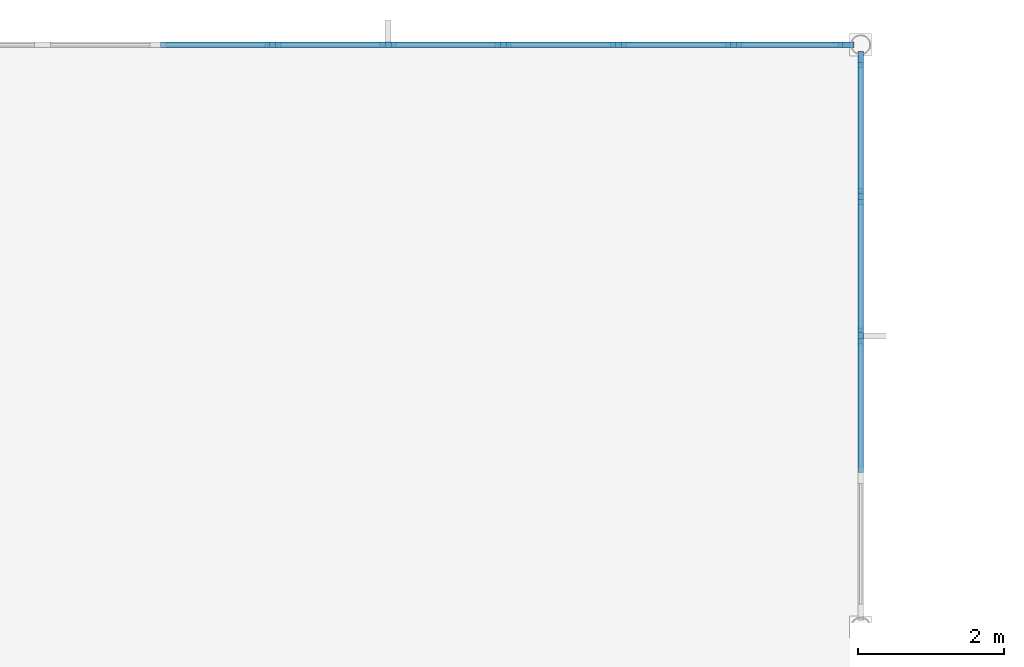
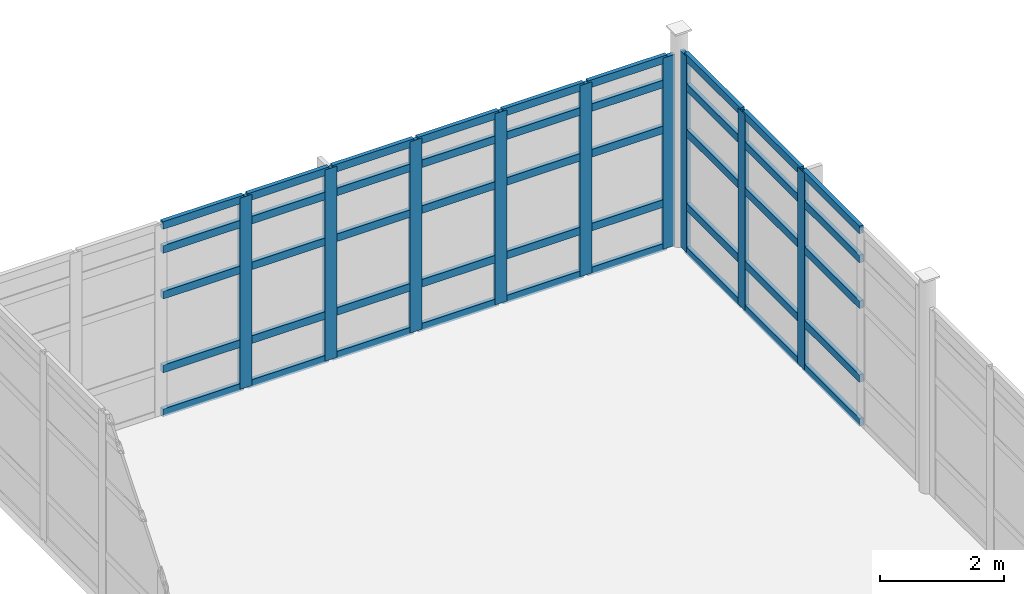
# One storey, part 71 of 122: 54 members, 2 elements without a shape of their own.
"""IFC4 building model written with IfcOpenShell, lengths in metres."""

from ifc_helpers import new_model, si_unit, direction, frame, origin, origin_2d, place, context, subcontext, project, spatial, rectangle, extrude, material, layer, layer_set, material_profile, profile_set, type_object, element, aggregate, save


model = new_model("IFC4")

# Units and contexts
model_context = context("Model", 3, precision=1e-05, world=origin(), true_north=direction((0.0, 1.0)))
body_context = subcontext(model_context, "Body", "Model", "MODEL_VIEW")
ifc_project = project(units=[si_unit("LENGTHUNIT", "METRE"), si_unit("AREAUNIT", "SQUARE_METRE"), si_unit("VOLUMEUNIT", "CUBIC_METRE"), si_unit("PLANEANGLEUNIT", "RADIAN"), si_unit("MASSUNIT", "GRAM", prefix="KILO"), si_unit("THERMODYNAMICTEMPERATUREUNIT", "KELVIN"), si_unit("POWERUNIT", "WATT")], contexts=[model_context])

# Site, building, storey
site_placement = place(None, origin())
site = spatial("IfcSite", under=ifc_project, at=site_placement, CompositionType="ELEMENT")
building_placement = place(site_placement, origin())
building = spatial("IfcBuilding", under=site, at=building_placement, Name="Korenveer Ferry Terminal", CompositionType="ELEMENT")
storey_placement = place(building_placement, frame((0.0, 0.0, 10.199951171875)))
storey = spatial("IfcBuildingStorey", under=building, at=storey_placement, Name="L02", CompositionType="ELEMENT", Elevation=10.199951171875)

# Curtain wall, members
ifc_material_1 = material(Name="Unitised bronze-and-glass curtain wall", Category="glass")
ifc_layer_1 = layer(ifc_material_1, 0.219970703125)
ifc_layer_set_1 = layer_set([ifc_layer_1], Name="Unitised bronze-and-glass curtain wall")
curtain_wall_type_1 = type_object("IfcCurtainWallType", Name="ENV-CW-103", PredefinedType="USERDEFINED", material=ifc_layer_set_1)
curtain_wall_1_placement = place(storey_placement, frame((123.179931640625, 116.0, 0.0)))
curtain_wall_1 = element("IfcCurtainWall", 1, at=curtain_wall_1_placement, inside=storey, type_object=curtain_wall_type_1, Name="Lancet curtain wall CWX-L02-X123-136-Y116-116", ObjectType="UNITISED CURTAIN WALL", PredefinedType="USERDEFINED")
ifc_material_2 = material(Name="Anodised bronze aluminium", Category="aluminium")
ifc_material_profile_1 = material_profile(ifc_material_2, rectangle(XDim=0.074951171875, YDim=0.219970703125, at=origin_2d()), Name="ALU 75x220")
ifc_profile_set_1 = profile_set([ifc_material_profile_1], Name="Anodised bronze aluminium")
member_type_1 = type_object("IfcMemberType", Name="ENV-CWM-75X220", PredefinedType="MULLION", material=ifc_profile_set_1)
member_1_placement = place(storey_placement, frame((127.925048828125, 116.0, 0.0), z_axis=(0.0, 0.0, 1.0), x_axis=(0.0, 1.0, 0.0)))
member_1 = element("IfcMember", 2, at=member_1_placement, type_object=member_type_1, Name="CW-103 mullion 4", PredefinedType="MULLION", context=body_context, shape_type="SweptSolid", body=[
    extrude(rectangle(XDim=0.074951171875, YDim=0.219970703125, at=origin_2d()), origin(), (0.0, 0.0, 1.0), 3.760009765625),
])
member_2_placement = place(storey_placement, frame((129.5068359375, 116.0, 0.0), z_axis=(0.0, 0.0, 1.0), x_axis=(0.0, 1.0, 0.0)))
member_2 = element("IfcMember", 3, at=member_2_placement, type_object=member_type_1, Name="CW-103 mullion 5", PredefinedType="MULLION", context=body_context, shape_type="SweptSolid", body=[
    extrude(rectangle(XDim=0.074951171875, YDim=0.219970703125, at=origin_2d()), origin(), (0.0, 0.0, 1.0), 3.760009765625),
])
member_3_placement = place(storey_placement, frame((131.08837890625, 116.0, 0.0), z_axis=(0.0, 0.0, 1.0), x_axis=(0.0, 1.0, 0.0)))
member_3 = element("IfcMember", 4, at=member_3_placement, type_object=member_type_1, Name="CW-103 mullion 6", PredefinedType="MULLION", context=body_context, shape_type="SweptSolid", body=[
    extrude(rectangle(XDim=0.074951171875, YDim=0.219970703125, at=origin_2d()), origin(), (0.0, 0.0, 1.0), 3.760009765625),
])
member_4_placement = place(storey_placement, frame((132.670166015625, 116.0, 0.0), z_axis=(0.0, 0.0, 1.0), x_axis=(0.0, 1.0, 0.0)))
member_4 = element("IfcMember", 5, at=member_4_placement, type_object=member_type_1, Name="CW-103 mullion 7", PredefinedType="MULLION", context=body_context, shape_type="SweptSolid", body=[
    extrude(rectangle(XDim=0.074951171875, YDim=0.219970703125, at=origin_2d()), origin(), (0.0, 0.0, 1.0), 3.760009765625),
])
member_5_placement = place(storey_placement, frame((134.251708984375, 116.0, 0.0), z_axis=(0.0, 0.0, 1.0), x_axis=(0.0, 1.0, 0.0)))
member_5 = element("IfcMember", 6, at=member_5_placement, type_object=member_type_1, Name="CW-103 mullion 8", PredefinedType="MULLION", context=body_context, shape_type="SweptSolid", body=[
    extrude(rectangle(XDim=0.074951171875, YDim=0.219970703125, at=origin_2d()), origin(), (0.0, 0.0, 1.0), 3.760009765625),
])
member_6_placement = place(storey_placement, frame((135.7958984375, 116.0, 0.0), z_axis=(0.0, 0.0, 1.0), x_axis=(0.0, 1.0, 0.0)))
member_6 = element("IfcMember", 7, at=member_6_placement, type_object=member_type_1, Name="CW-103 mullion 9", PredefinedType="MULLION", context=body_context, shape_type="SweptSolid", body=[
    extrude(rectangle(XDim=0.074951171875, YDim=0.219970703125, at=origin_2d()), origin(), (0.0, 0.0, 1.0), 3.760009765625),
])

ifc_layer_2 = layer(ifc_material_1, 0.219970703125)
ifc_layer_set_2 = layer_set([ifc_layer_2], Name="Unitised bronze-and-glass curtain wall")
curtain_wall_type_2 = type_object("IfcCurtainWallType", Name="ENV-CW-113", PredefinedType="USERDEFINED", material=ifc_layer_set_2)
curtain_wall_2_placement = place(storey_placement, frame((136.0, 115.83349609375, 0.0)))
curtain_wall_2 = element("IfcCurtainWall", 8, at=curtain_wall_2_placement, inside=storey, type_object=curtain_wall_type_2, Name="Lancet curtain wall CWX-L02-X136-136-Y108-116", ObjectType="UNITISED CURTAIN WALL", PredefinedType="USERDEFINED")
member_7_placement = place(storey_placement, frame((136.0, 115.7958984375, 0.0), z_axis=(0.0, 0.0, 1.0), x_axis=(1.0, 0.0, 0.0)))
member_7 = element("IfcMember", 9, at=member_7_placement, type_object=member_type_1, Name="CW-113 mullion 1", PredefinedType="MULLION", context=body_context, shape_type="SweptSolid", body=[
    extrude(rectangle(XDim=0.074951171875, YDim=0.219970703125, at=origin_2d()), origin(), (0.0, 0.0, 1.0), 3.860107421875),
])
member_8_placement = place(storey_placement, frame((136.0, 113.916748046875, 0.0), z_axis=(0.0, 0.0, 1.0), x_axis=(1.0, 0.0, 0.0)))
member_8 = element("IfcMember", 10, at=member_8_placement, type_object=member_type_1, Name="CW-113 mullion 2", PredefinedType="MULLION", context=body_context, shape_type="SweptSolid", body=[
    extrude(rectangle(XDim=0.074951171875, YDim=0.219970703125, at=origin_2d()), origin(), (0.0, 0.0, 1.0), 3.860107421875),
])
member_9_placement = place(storey_placement, frame((136.0, 112.0, 0.0), z_axis=(0.0, 0.0, 1.0), x_axis=(1.0, 0.0, 0.0)))
member_9 = element("IfcMember", 11, at=member_9_placement, type_object=member_type_1, Name="CW-113 mullion 3", PredefinedType="MULLION", context=body_context, shape_type="SweptSolid", body=[
    extrude(rectangle(XDim=0.074951171875, YDim=0.219970703125, at=origin_2d()), origin(), (0.0, 0.0, 1.0), 3.860107421875),
])

# Member
ifc_material_profile_2 = material_profile(ifc_material_2, rectangle(XDim=0.074951171875, YDim=0.14990234375, at=origin_2d()), Name="ALU 75x150")
ifc_profile_set_2 = profile_set([ifc_material_profile_2], Name="Anodised bronze aluminium")
member_type_2 = type_object("IfcMemberType", Name="ENV-CWT-75X150", PredefinedType="USERDEFINED", material=ifc_profile_set_2)
member_10_placement = place(storey_placement, frame((126.380859375, 116.0, 0.03759765625), z_axis=(1.0, 0.0, 0.0), x_axis=(0.0, 1.0, 0.0)))
member_10 = element("IfcMember", 12, at=member_10_placement, type_object=member_type_2, Name="CW-103 transom 3.1", ObjectType="TRANSOM", PredefinedType="USERDEFINED", context=body_context, shape_type="SweptSolid", body=[
    extrude(rectangle(XDim=0.074951171875, YDim=0.14990234375, at=origin_2d()), origin(), (0.0, 0.0, 1.0), 1.506591796875),
])

member_11_placement = place(storey_placement, frame((126.380859375, 116.0, 0.900146484375), z_axis=(1.0, 0.0, 0.0), x_axis=(0.0, 1.0, 0.0)))
member_11 = element("IfcMember", 13, at=member_11_placement, type_object=member_type_2, Name="CW-103 transom 3.2", ObjectType="TRANSOM", PredefinedType="USERDEFINED", context=body_context, shape_type="SweptSolid", body=[
    extrude(rectangle(XDim=0.074951171875, YDim=0.14990234375, at=origin_2d()), origin(), (0.0, 0.0, 1.0), 1.506591796875),
])

member_12_placement = place(storey_placement, frame((126.380859375, 116.0, 2.35009765625), z_axis=(1.0, 0.0, 0.0), x_axis=(0.0, 1.0, 0.0)))
member_12 = element("IfcMember", 14, at=member_12_placement, type_object=member_type_2, Name="CW-103 transom 3.3", ObjectType="TRANSOM", PredefinedType="USERDEFINED", context=body_context, shape_type="SweptSolid", body=[
    extrude(rectangle(XDim=0.074951171875, YDim=0.14990234375, at=origin_2d()), origin(), (0.0, 0.0, 1.0), 1.506591796875),
])

member_13_placement = place(storey_placement, frame((126.380859375, 116.0, 3.25), z_axis=(1.0, 0.0, 0.0), x_axis=(0.0, 1.0, 0.0)))
member_13 = element("IfcMember", 15, at=member_13_placement, type_object=member_type_2, Name="CW-103 transom 3.4", ObjectType="TRANSOM", PredefinedType="USERDEFINED", context=body_context, shape_type="SweptSolid", body=[
    extrude(rectangle(XDim=0.074951171875, YDim=0.14990234375, at=origin_2d()), origin(), (0.0, 0.0, 1.0), 1.506591796875),
])

member_14_placement = place(storey_placement, frame((126.380859375, 116.0, 3.72265625), z_axis=(1.0, 0.0, 0.0), x_axis=(0.0, 1.0, 0.0)))
member_14 = element("IfcMember", 16, at=member_14_placement, type_object=member_type_2, Name="CW-103 transom 3.5", ObjectType="TRANSOM", PredefinedType="USERDEFINED", context=body_context, shape_type="SweptSolid", body=[
    extrude(rectangle(XDim=0.074951171875, YDim=0.14990234375, at=origin_2d()), origin(), (0.0, 0.0, 1.0), 1.506591796875),
])

member_15_placement = place(storey_placement, frame((127.962646484375, 116.0, 0.03759765625), z_axis=(1.0, 0.0, 0.0), x_axis=(0.0, 1.0, 0.0)))
member_15 = element("IfcMember", 17, at=member_15_placement, type_object=member_type_2, Name="CW-103 transom 4.1", ObjectType="TRANSOM", PredefinedType="USERDEFINED", context=body_context, shape_type="SweptSolid", body=[
    extrude(rectangle(XDim=0.074951171875, YDim=0.14990234375, at=origin_2d()), origin(), (0.0, 0.0, 1.0), 1.506591796875),
])

member_16_placement = place(storey_placement, frame((127.962646484375, 116.0, 0.900146484375), z_axis=(1.0, 0.0, 0.0), x_axis=(0.0, 1.0, 0.0)))
member_16 = element("IfcMember", 18, at=member_16_placement, type_object=member_type_2, Name="CW-103 transom 4.2", ObjectType="TRANSOM", PredefinedType="USERDEFINED", context=body_context, shape_type="SweptSolid", body=[
    extrude(rectangle(XDim=0.074951171875, YDim=0.14990234375, at=origin_2d()), origin(), (0.0, 0.0, 1.0), 1.506591796875),
])

member_17_placement = place(storey_placement, frame((127.962646484375, 116.0, 2.35009765625), z_axis=(1.0, 0.0, 0.0), x_axis=(0.0, 1.0, 0.0)))
member_17 = element("IfcMember", 19, at=member_17_placement, type_object=member_type_2, Name="CW-103 transom 4.3", ObjectType="TRANSOM", PredefinedType="USERDEFINED", context=body_context, shape_type="SweptSolid", body=[
    extrude(rectangle(XDim=0.074951171875, YDim=0.14990234375, at=origin_2d()), origin(), (0.0, 0.0, 1.0), 1.506591796875),
])

member_18_placement = place(storey_placement, frame((127.962646484375, 116.0, 3.25), z_axis=(1.0, 0.0, 0.0), x_axis=(0.0, 1.0, 0.0)))
member_18 = element("IfcMember", 20, at=member_18_placement, type_object=member_type_2, Name="CW-103 transom 4.4", ObjectType="TRANSOM", PredefinedType="USERDEFINED", context=body_context, shape_type="SweptSolid", body=[
    extrude(rectangle(XDim=0.074951171875, YDim=0.14990234375, at=origin_2d()), origin(), (0.0, 0.0, 1.0), 1.506591796875),
])

member_19_placement = place(storey_placement, frame((127.962646484375, 116.0, 3.72265625), z_axis=(1.0, 0.0, 0.0), x_axis=(0.0, 1.0, 0.0)))
member_19 = element("IfcMember", 21, at=member_19_placement, type_object=member_type_2, Name="CW-103 transom 4.5", ObjectType="TRANSOM", PredefinedType="USERDEFINED", context=body_context, shape_type="SweptSolid", body=[
    extrude(rectangle(XDim=0.074951171875, YDim=0.14990234375, at=origin_2d()), origin(), (0.0, 0.0, 1.0), 1.506591796875),
])

member_20_placement = place(storey_placement, frame((129.544189453125, 116.0, 0.03759765625), z_axis=(1.0, 0.0, 0.0), x_axis=(0.0, 1.0, 0.0)))
member_20 = element("IfcMember", 22, at=member_20_placement, type_object=member_type_2, Name="CW-103 transom 5.1", ObjectType="TRANSOM", PredefinedType="USERDEFINED", context=body_context, shape_type="SweptSolid", body=[
    extrude(rectangle(XDim=0.074951171875, YDim=0.14990234375, at=origin_2d()), origin(), (0.0, 0.0, 1.0), 1.5068359375),
])

member_21_placement = place(storey_placement, frame((129.544189453125, 116.0, 0.900146484375), z_axis=(1.0, 0.0, 0.0), x_axis=(0.0, 1.0, 0.0)))
member_21 = element("IfcMember", 23, at=member_21_placement, type_object=member_type_2, Name="CW-103 transom 5.2", ObjectType="TRANSOM", PredefinedType="USERDEFINED", context=body_context, shape_type="SweptSolid", body=[
    extrude(rectangle(XDim=0.074951171875, YDim=0.14990234375, at=origin_2d()), origin(), (0.0, 0.0, 1.0), 1.5068359375),
])

member_22_placement = place(storey_placement, frame((129.544189453125, 116.0, 2.35009765625), z_axis=(1.0, 0.0, 0.0), x_axis=(0.0, 1.0, 0.0)))
member_22 = element("IfcMember", 24, at=member_22_placement, type_object=member_type_2, Name="CW-103 transom 5.3", ObjectType="TRANSOM", PredefinedType="USERDEFINED", context=body_context, shape_type="SweptSolid", body=[
    extrude(rectangle(XDim=0.074951171875, YDim=0.14990234375, at=origin_2d()), origin(), (0.0, 0.0, 1.0), 1.5068359375),
])

member_23_placement = place(storey_placement, frame((129.544189453125, 116.0, 3.25), z_axis=(1.0, 0.0, 0.0), x_axis=(0.0, 1.0, 0.0)))
member_23 = element("IfcMember", 25, at=member_23_placement, type_object=member_type_2, Name="CW-103 transom 5.4", ObjectType="TRANSOM", PredefinedType="USERDEFINED", context=body_context, shape_type="SweptSolid", body=[
    extrude(rectangle(XDim=0.074951171875, YDim=0.14990234375, at=origin_2d()), origin(), (0.0, 0.0, 1.0), 1.5068359375),
])

member_24_placement = place(storey_placement, frame((129.544189453125, 116.0, 3.72265625), z_axis=(1.0, 0.0, 0.0), x_axis=(0.0, 1.0, 0.0)))
member_24 = element("IfcMember", 26, at=member_24_placement, type_object=member_type_2, Name="CW-103 transom 5.5", ObjectType="TRANSOM", PredefinedType="USERDEFINED", context=body_context, shape_type="SweptSolid", body=[
    extrude(rectangle(XDim=0.074951171875, YDim=0.14990234375, at=origin_2d()), origin(), (0.0, 0.0, 1.0), 1.5068359375),
])

member_25_placement = place(storey_placement, frame((131.1259765625, 116.0, 0.03759765625), z_axis=(1.0, 0.0, 0.0), x_axis=(0.0, 1.0, 0.0)))
member_25 = element("IfcMember", 27, at=member_25_placement, type_object=member_type_2, Name="CW-103 transom 6.1", ObjectType="TRANSOM", PredefinedType="USERDEFINED", context=body_context, shape_type="SweptSolid", body=[
    extrude(rectangle(XDim=0.074951171875, YDim=0.14990234375, at=origin_2d()), origin(), (0.0, 0.0, 1.0), 1.506591796875),
])

member_26_placement = place(storey_placement, frame((131.1259765625, 116.0, 0.900146484375), z_axis=(1.0, 0.0, 0.0), x_axis=(0.0, 1.0, 0.0)))
member_26 = element("IfcMember", 28, at=member_26_placement, type_object=member_type_2, Name="CW-103 transom 6.2", ObjectType="TRANSOM", PredefinedType="USERDEFINED", context=body_context, shape_type="SweptSolid", body=[
    extrude(rectangle(XDim=0.074951171875, YDim=0.14990234375, at=origin_2d()), origin(), (0.0, 0.0, 1.0), 1.506591796875),
])

member_27_placement = place(storey_placement, frame((131.1259765625, 116.0, 2.35009765625), z_axis=(1.0, 0.0, 0.0), x_axis=(0.0, 1.0, 0.0)))
member_27 = element("IfcMember", 29, at=member_27_placement, type_object=member_type_2, Name="CW-103 transom 6.3", ObjectType="TRANSOM", PredefinedType="USERDEFINED", context=body_context, shape_type="SweptSolid", body=[
    extrude(rectangle(XDim=0.074951171875, YDim=0.14990234375, at=origin_2d()), origin(), (0.0, 0.0, 1.0), 1.506591796875),
])

member_28_placement = place(storey_placement, frame((131.1259765625, 116.0, 3.25), z_axis=(1.0, 0.0, 0.0), x_axis=(0.0, 1.0, 0.0)))
member_28 = element("IfcMember", 30, at=member_28_placement, type_object=member_type_2, Name="CW-103 transom 6.4", ObjectType="TRANSOM", PredefinedType="USERDEFINED", context=body_context, shape_type="SweptSolid", body=[
    extrude(rectangle(XDim=0.074951171875, YDim=0.14990234375, at=origin_2d()), origin(), (0.0, 0.0, 1.0), 1.506591796875),
])

member_29_placement = place(storey_placement, frame((131.1259765625, 116.0, 3.72265625), z_axis=(1.0, 0.0, 0.0), x_axis=(0.0, 1.0, 0.0)))
member_29 = element("IfcMember", 31, at=member_29_placement, type_object=member_type_2, Name="CW-103 transom 6.5", ObjectType="TRANSOM", PredefinedType="USERDEFINED", context=body_context, shape_type="SweptSolid", body=[
    extrude(rectangle(XDim=0.074951171875, YDim=0.14990234375, at=origin_2d()), origin(), (0.0, 0.0, 1.0), 1.506591796875),
])

member_30_placement = place(storey_placement, frame((132.70751953125, 116.0, 0.03759765625), z_axis=(1.0, 0.0, 0.0), x_axis=(0.0, 1.0, 0.0)))
member_30 = element("IfcMember", 32, at=member_30_placement, type_object=member_type_2, Name="CW-103 transom 7.1", ObjectType="TRANSOM", PredefinedType="USERDEFINED", context=body_context, shape_type="SweptSolid", body=[
    extrude(rectangle(XDim=0.074951171875, YDim=0.14990234375, at=origin_2d()), origin(), (0.0, 0.0, 1.0), 1.5068359375),
])

member_31_placement = place(storey_placement, frame((132.70751953125, 116.0, 0.900146484375), z_axis=(1.0, 0.0, 0.0), x_axis=(0.0, 1.0, 0.0)))
member_31 = element("IfcMember", 33, at=member_31_placement, type_object=member_type_2, Name="CW-103 transom 7.2", ObjectType="TRANSOM", PredefinedType="USERDEFINED", context=body_context, shape_type="SweptSolid", body=[
    extrude(rectangle(XDim=0.074951171875, YDim=0.14990234375, at=origin_2d()), origin(), (0.0, 0.0, 1.0), 1.5068359375),
])

member_32_placement = place(storey_placement, frame((132.70751953125, 116.0, 2.35009765625), z_axis=(1.0, 0.0, 0.0), x_axis=(0.0, 1.0, 0.0)))
member_32 = element("IfcMember", 34, at=member_32_placement, type_object=member_type_2, Name="CW-103 transom 7.3", ObjectType="TRANSOM", PredefinedType="USERDEFINED", context=body_context, shape_type="SweptSolid", body=[
    extrude(rectangle(XDim=0.074951171875, YDim=0.14990234375, at=origin_2d()), origin(), (0.0, 0.0, 1.0), 1.5068359375),
])

member_33_placement = place(storey_placement, frame((132.70751953125, 116.0, 3.25), z_axis=(1.0, 0.0, 0.0), x_axis=(0.0, 1.0, 0.0)))
member_33 = element("IfcMember", 35, at=member_33_placement, type_object=member_type_2, Name="CW-103 transom 7.4", ObjectType="TRANSOM", PredefinedType="USERDEFINED", context=body_context, shape_type="SweptSolid", body=[
    extrude(rectangle(XDim=0.074951171875, YDim=0.14990234375, at=origin_2d()), origin(), (0.0, 0.0, 1.0), 1.5068359375),
])

member_34_placement = place(storey_placement, frame((132.70751953125, 116.0, 3.72265625), z_axis=(1.0, 0.0, 0.0), x_axis=(0.0, 1.0, 0.0)))
member_34 = element("IfcMember", 36, at=member_34_placement, type_object=member_type_2, Name="CW-103 transom 7.5", ObjectType="TRANSOM", PredefinedType="USERDEFINED", context=body_context, shape_type="SweptSolid", body=[
    extrude(rectangle(XDim=0.074951171875, YDim=0.14990234375, at=origin_2d()), origin(), (0.0, 0.0, 1.0), 1.5068359375),
])

member_35_placement = place(storey_placement, frame((134.289306640625, 116.0, 0.03759765625), z_axis=(1.0, 0.0, 0.0), x_axis=(0.0, 1.0, 0.0)))
member_35 = element("IfcMember", 37, at=member_35_placement, type_object=member_type_2, Name="CW-103 transom 8.1", ObjectType="TRANSOM", PredefinedType="USERDEFINED", context=body_context, shape_type="SweptSolid", body=[
    extrude(rectangle(XDim=0.074951171875, YDim=0.14990234375, at=origin_2d()), origin(), (0.0, 0.0, 1.0), 1.46923828125),
])

member_36_placement = place(storey_placement, frame((134.289306640625, 116.0, 0.900146484375), z_axis=(1.0, 0.0, 0.0), x_axis=(0.0, 1.0, 0.0)))
member_36 = element("IfcMember", 38, at=member_36_placement, type_object=member_type_2, Name="CW-103 transom 8.2", ObjectType="TRANSOM", PredefinedType="USERDEFINED", context=body_context, shape_type="SweptSolid", body=[
    extrude(rectangle(XDim=0.074951171875, YDim=0.14990234375, at=origin_2d()), origin(), (0.0, 0.0, 1.0), 1.46923828125),
])

member_37_placement = place(storey_placement, frame((134.289306640625, 116.0, 2.35009765625), z_axis=(1.0, 0.0, 0.0), x_axis=(0.0, 1.0, 0.0)))
member_37 = element("IfcMember", 39, at=member_37_placement, type_object=member_type_2, Name="CW-103 transom 8.3", ObjectType="TRANSOM", PredefinedType="USERDEFINED", context=body_context, shape_type="SweptSolid", body=[
    extrude(rectangle(XDim=0.074951171875, YDim=0.14990234375, at=origin_2d()), origin(), (0.0, 0.0, 1.0), 1.46923828125),
])

member_38_placement = place(storey_placement, frame((134.289306640625, 116.0, 3.25), z_axis=(1.0, 0.0, 0.0), x_axis=(0.0, 1.0, 0.0)))
member_38 = element("IfcMember", 40, at=member_38_placement, type_object=member_type_2, Name="CW-103 transom 8.4", ObjectType="TRANSOM", PredefinedType="USERDEFINED", context=body_context, shape_type="SweptSolid", body=[
    extrude(rectangle(XDim=0.074951171875, YDim=0.14990234375, at=origin_2d()), origin(), (0.0, 0.0, 1.0), 1.46923828125),
])

member_39_placement = place(storey_placement, frame((134.289306640625, 116.0, 3.72265625), z_axis=(1.0, 0.0, 0.0), x_axis=(0.0, 1.0, 0.0)))
member_39 = element("IfcMember", 41, at=member_39_placement, type_object=member_type_2, Name="CW-103 transom 8.5", ObjectType="TRANSOM", PredefinedType="USERDEFINED", context=body_context, shape_type="SweptSolid", body=[
    extrude(rectangle(XDim=0.074951171875, YDim=0.14990234375, at=origin_2d()), origin(), (0.0, 0.0, 1.0), 1.46923828125),
])

aggregate(curtain_wall_1, [member_1, member_2, member_3, member_4, member_5, member_6, member_10, member_11, member_12, member_13, member_14, member_15, member_16, member_17, member_18, member_19, member_20, member_21, member_22, member_23, member_24, member_25, member_26, member_27, member_28, member_29, member_30, member_31, member_32, member_33, member_34, member_35, member_36, member_37, member_38, member_39])

member_40_placement = place(storey_placement, frame((136.0, 115.758544921875, 0.03759765625), z_axis=(0.0, -1.0, 0.0), x_axis=(1.0, 0.0, 0.0)))
member_40 = element("IfcMember", 42, at=member_40_placement, type_object=member_type_2, Name="CW-113 transom 1.1", ObjectType="TRANSOM", PredefinedType="USERDEFINED", context=body_context, shape_type="SweptSolid", body=[
    extrude(rectangle(XDim=0.074951171875, YDim=0.14990234375, at=origin_2d()), origin(), (0.0, 0.0, 1.0), 1.80419921875),
])

member_41_placement = place(storey_placement, frame((136.0, 115.758544921875, 0.900146484375), z_axis=(0.0, -1.0, 0.0), x_axis=(1.0, 0.0, 0.0)))
member_41 = element("IfcMember", 43, at=member_41_placement, type_object=member_type_2, Name="CW-113 transom 1.2", ObjectType="TRANSOM", PredefinedType="USERDEFINED", context=body_context, shape_type="SweptSolid", body=[
    extrude(rectangle(XDim=0.074951171875, YDim=0.14990234375, at=origin_2d()), origin(), (0.0, 0.0, 1.0), 1.80419921875),
])

member_42_placement = place(storey_placement, frame((136.0, 115.758544921875, 2.35009765625), z_axis=(0.0, -1.0, 0.0), x_axis=(1.0, 0.0, 0.0)))
member_42 = element("IfcMember", 44, at=member_42_placement, type_object=member_type_2, Name="CW-113 transom 1.3", ObjectType="TRANSOM", PredefinedType="USERDEFINED", context=body_context, shape_type="SweptSolid", body=[
    extrude(rectangle(XDim=0.074951171875, YDim=0.14990234375, at=origin_2d()), origin(), (0.0, 0.0, 1.0), 1.80419921875),
])

member_43_placement = place(storey_placement, frame((136.0, 115.758544921875, 3.25), z_axis=(0.0, -1.0, 0.0), x_axis=(1.0, 0.0, 0.0)))
member_43 = element("IfcMember", 45, at=member_43_placement, type_object=member_type_2, Name="CW-113 transom 1.4", ObjectType="TRANSOM", PredefinedType="USERDEFINED", context=body_context, shape_type="SweptSolid", body=[
    extrude(rectangle(XDim=0.074951171875, YDim=0.14990234375, at=origin_2d()), origin(), (0.0, 0.0, 1.0), 1.80419921875),
])

member_44_placement = place(storey_placement, frame((136.0, 115.758544921875, 3.822509765625), z_axis=(0.0, -1.0, 0.0), x_axis=(1.0, 0.0, 0.0)))
member_44 = element("IfcMember", 46, at=member_44_placement, type_object=member_type_2, Name="CW-113 transom 1.5", ObjectType="TRANSOM", PredefinedType="USERDEFINED", context=body_context, shape_type="SweptSolid", body=[
    extrude(rectangle(XDim=0.074951171875, YDim=0.14990234375, at=origin_2d()), origin(), (0.0, 0.0, 1.0), 1.80419921875),
])

member_45_placement = place(storey_placement, frame((136.0, 113.879150390625, 0.03759765625), z_axis=(0.0, -1.0, 0.0), x_axis=(1.0, 0.0, 0.0)))
member_45 = element("IfcMember", 47, at=member_45_placement, type_object=member_type_2, Name="CW-113 transom 2.1", ObjectType="TRANSOM", PredefinedType="USERDEFINED", context=body_context, shape_type="SweptSolid", body=[
    extrude(rectangle(XDim=0.074951171875, YDim=0.14990234375, at=origin_2d()), origin(), (0.0, 0.0, 1.0), 1.841552734375),
])

member_46_placement = place(storey_placement, frame((136.0, 113.879150390625, 0.900146484375), z_axis=(0.0, -1.0, 0.0), x_axis=(1.0, 0.0, 0.0)))
member_46 = element("IfcMember", 48, at=member_46_placement, type_object=member_type_2, Name="CW-113 transom 2.2", ObjectType="TRANSOM", PredefinedType="USERDEFINED", context=body_context, shape_type="SweptSolid", body=[
    extrude(rectangle(XDim=0.074951171875, YDim=0.14990234375, at=origin_2d()), origin(), (0.0, 0.0, 1.0), 1.841552734375),
])

member_47_placement = place(storey_placement, frame((136.0, 113.879150390625, 2.35009765625), z_axis=(0.0, -1.0, 0.0), x_axis=(1.0, 0.0, 0.0)))
member_47 = element("IfcMember", 49, at=member_47_placement, type_object=member_type_2, Name="CW-113 transom 2.3", ObjectType="TRANSOM", PredefinedType="USERDEFINED", context=body_context, shape_type="SweptSolid", body=[
    extrude(rectangle(XDim=0.074951171875, YDim=0.14990234375, at=origin_2d()), origin(), (0.0, 0.0, 1.0), 1.841552734375),
])

member_48_placement = place(storey_placement, frame((136.0, 113.879150390625, 3.25), z_axis=(0.0, -1.0, 0.0), x_axis=(1.0, 0.0, 0.0)))
member_48 = element("IfcMember", 50, at=member_48_placement, type_object=member_type_2, Name="CW-113 transom 2.4", ObjectType="TRANSOM", PredefinedType="USERDEFINED", context=body_context, shape_type="SweptSolid", body=[
    extrude(rectangle(XDim=0.074951171875, YDim=0.14990234375, at=origin_2d()), origin(), (0.0, 0.0, 1.0), 1.841552734375),
])

member_49_placement = place(storey_placement, frame((136.0, 113.879150390625, 3.822509765625), z_axis=(0.0, -1.0, 0.0), x_axis=(1.0, 0.0, 0.0)))
member_49 = element("IfcMember", 51, at=member_49_placement, type_object=member_type_2, Name="CW-113 transom 2.5", ObjectType="TRANSOM", PredefinedType="USERDEFINED", context=body_context, shape_type="SweptSolid", body=[
    extrude(rectangle(XDim=0.074951171875, YDim=0.14990234375, at=origin_2d()), origin(), (0.0, 0.0, 1.0), 1.841552734375),
])

member_50_placement = place(storey_placement, frame((136.0, 111.96240234375, 0.03759765625), z_axis=(0.0, -1.0, 0.0), x_axis=(1.0, 0.0, 0.0)))
member_50 = element("IfcMember", 52, at=member_50_placement, type_object=member_type_2, Name="CW-113 transom 3.1", ObjectType="TRANSOM", PredefinedType="USERDEFINED", context=body_context, shape_type="SweptSolid", body=[
    extrude(rectangle(XDim=0.074951171875, YDim=0.14990234375, at=origin_2d()), origin(), (0.0, 0.0, 1.0), 1.841552734375),
])

member_51_placement = place(storey_placement, frame((136.0, 111.96240234375, 0.900146484375), z_axis=(0.0, -1.0, 0.0), x_axis=(1.0, 0.0, 0.0)))
member_51 = element("IfcMember", 53, at=member_51_placement, type_object=member_type_2, Name="CW-113 transom 3.2", ObjectType="TRANSOM", PredefinedType="USERDEFINED", context=body_context, shape_type="SweptSolid", body=[
    extrude(rectangle(XDim=0.074951171875, YDim=0.14990234375, at=origin_2d()), origin(), (0.0, 0.0, 1.0), 1.841552734375),
])

member_52_placement = place(storey_placement, frame((136.0, 111.96240234375, 2.35009765625), z_axis=(0.0, -1.0, 0.0), x_axis=(1.0, 0.0, 0.0)))
member_52 = element("IfcMember", 54, at=member_52_placement, type_object=member_type_2, Name="CW-113 transom 3.3", ObjectType="TRANSOM", PredefinedType="USERDEFINED", context=body_context, shape_type="SweptSolid", body=[
    extrude(rectangle(XDim=0.074951171875, YDim=0.14990234375, at=origin_2d()), origin(), (0.0, 0.0, 1.0), 1.841552734375),
])

member_53_placement = place(storey_placement, frame((136.0, 111.96240234375, 3.25), z_axis=(0.0, -1.0, 0.0), x_axis=(1.0, 0.0, 0.0)))
member_53 = element("IfcMember", 55, at=member_53_placement, type_object=member_type_2, Name="CW-113 transom 3.4", ObjectType="TRANSOM", PredefinedType="USERDEFINED", context=body_context, shape_type="SweptSolid", body=[
    extrude(rectangle(XDim=0.074951171875, YDim=0.14990234375, at=origin_2d()), origin(), (0.0, 0.0, 1.0), 1.841552734375),
])

member_54_placement = place(storey_placement, frame((136.0, 111.96240234375, 3.822509765625), z_axis=(0.0, -1.0, 0.0), x_axis=(1.0, 0.0, 0.0)))
member_54 = element("IfcMember", 56, at=member_54_placement, type_object=member_type_2, Name="CW-113 transom 3.5", ObjectType="TRANSOM", PredefinedType="USERDEFINED", context=body_context, shape_type="SweptSolid", body=[
    extrude(rectangle(XDim=0.074951171875, YDim=0.14990234375, at=origin_2d()), origin(), (0.0, 0.0, 1.0), 1.841552734375),
])

aggregate(curtain_wall_2, [member_7, member_8, member_9, member_40, member_41, member_42, member_43, member_44, member_45, member_46, member_47, member_48, member_49, member_50, member_51, member_52, member_53, member_54])

save(model, "model.ifc")
